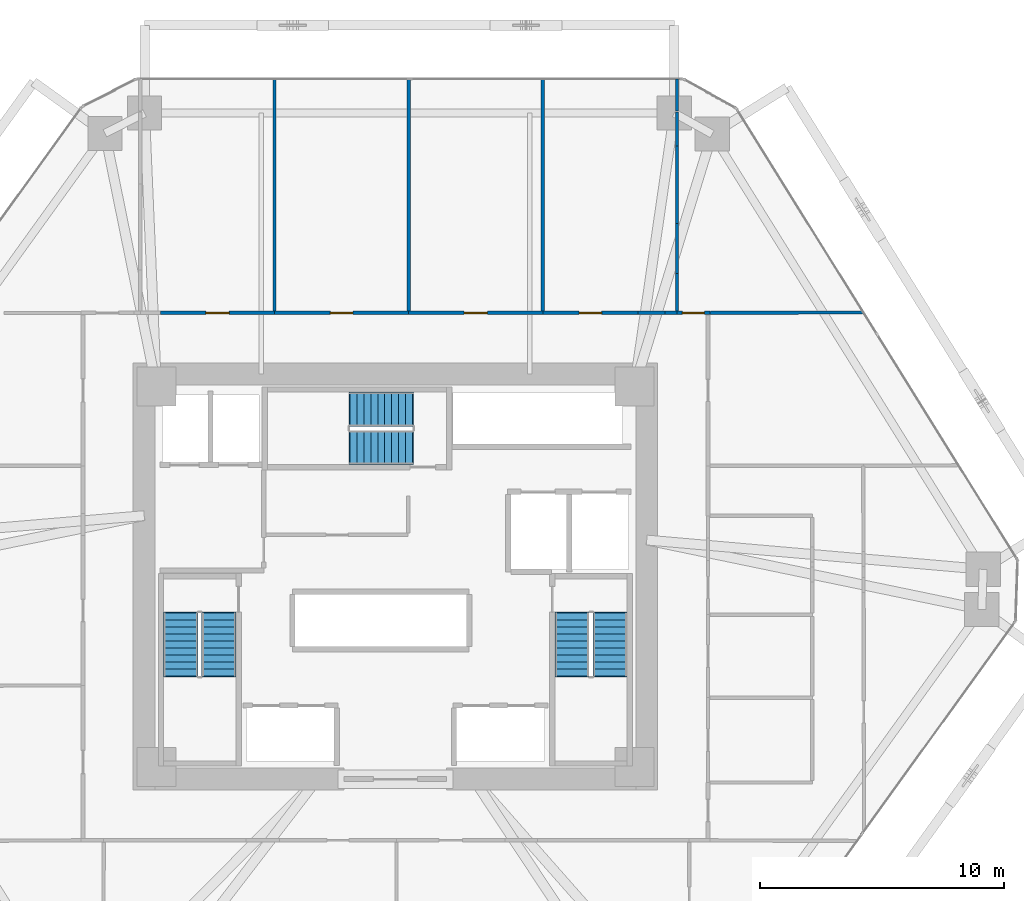
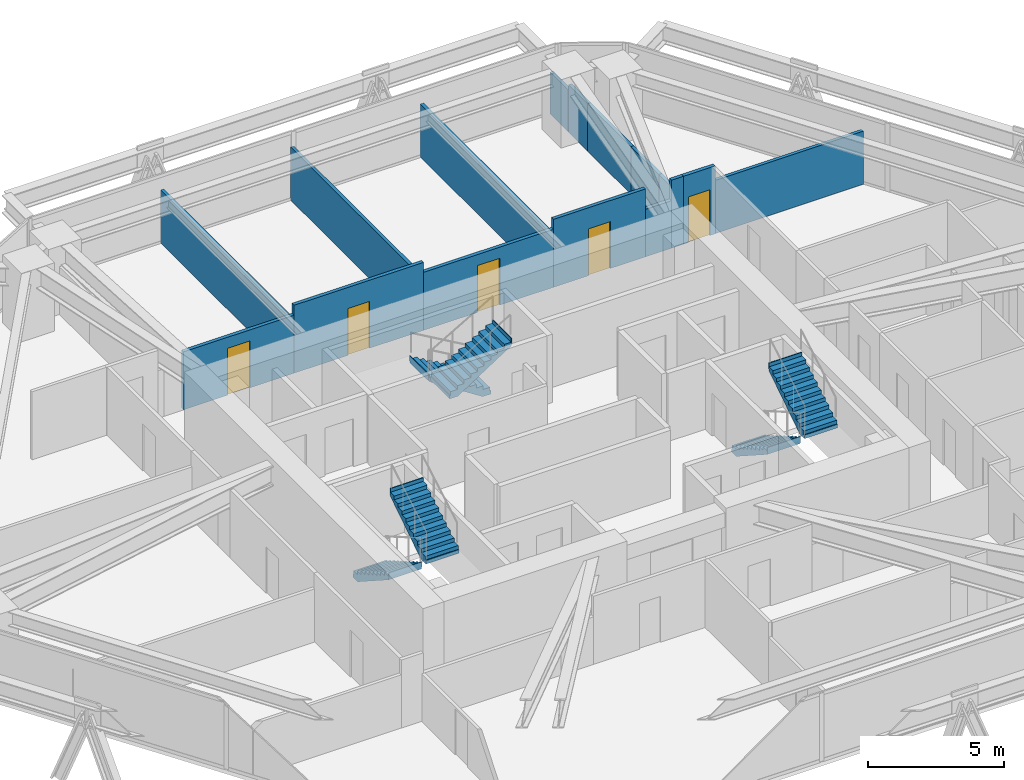
# One storey, part 16 of 17: 16 walls, 6 stair flights, 5 doors, 5 openings, 3 elements without a shape of their own.
"""IFC4 building model written with IfcOpenShell, lengths in metres."""

from ifc_helpers import new_model, si_unit, direction, frame, frame_2d, origin, place, context, subcontext, project, spatial, polyline, rectangle, outline, extrude, source, transform, mapped, material, layer, layer_set, type_object, type_shapes, element, fill, aggregate, save


model = new_model("IFC4")

# Units and contexts
model_context = context("Model", 3, precision=1e-05, world=origin(), true_north=direction((0.0, 1.0)))
body_context = subcontext(model_context, "Body", "Model", "MODEL_VIEW")
ifc_project = project(units=[si_unit("LENGTHUNIT", "METRE"), si_unit("AREAUNIT", "SQUARE_METRE"), si_unit("VOLUMEUNIT", "CUBIC_METRE"), si_unit("PLANEANGLEUNIT", "RADIAN"), si_unit("MASSUNIT", "GRAM", prefix="KILO")], contexts=[model_context])

# Site, building, storey
site_placement = place(None, origin())
site = spatial("IfcSite", under=ifc_project, at=site_placement, CompositionType="ELEMENT")
building_placement = place(site_placement, origin())
building = spatial("IfcBuilding", under=site, at=building_placement, Name="Durnholm Broadcast Tower", CompositionType="ELEMENT")
storey_placement = place(building_placement, frame((0.0, 0.0, 72.0)))
storey = spatial("IfcBuildingStorey", under=building, at=storey_placement, Name="L18", CompositionType="ELEMENT", Elevation=72.0)

# Walls
ifc_material_1 = material(Name="Gypsum Metal Stud Partition", Category="concrete")
ifc_layer_1 = layer(ifc_material_1, 0.135009765625)
ifc_layer_set_1 = layer_set([ifc_layer_1], Name="Gypsum Metal Stud Partition")
wall_type_1 = type_object("IfcWallType", Name="WALL-PART-135", PredefinedType="PARTITIONING", material=ifc_layer_set_1)
for number, where, z_axis, x_axis, name in (
    (1, (-4.9599609375, 20.39990234375, 0.0), (0.0, 0.0, 1.0), (0.0, -1.0, 0.0), "L18 room dividing partition 6.7"),
    (2, (0.5400390625, 20.39990234375, 0.0), (0.0, 0.0, 1.0), (0.0, -1.0, 0.0), "L18 room dividing partition 7.8"),
    (3, (6.0400390625, 20.39990234375, 0.0), (0.0, 0.0, 1.0), (0.0, -1.0, 0.0), "L18 room dividing partition 8.9"),
):
    element("IfcWall", number, at=place(storey_placement, frame(where, z_axis=z_axis, x_axis=x_axis)), inside=storey, type_object=wall_type_1, Name=name, PredefinedType="PARTITIONING", context=body_context, shape_type="SweptSolid", body=[
        extrude(rectangle(XDim=9.510986328125, YDim=0.135009765625, at=frame_2d((4.75537109375, 0.0))), origin(), (0.0, 0.0, 1.0), 2.3798828125),
    ])
wall_1_placement = place(storey_placement, frame((11.5400390625, 17.651611328125, 0.0), z_axis=(0.0, 0.0, 1.0), x_axis=(0.0, -1.0, 0.0)))
element("IfcWall", 4, at=wall_1_placement, inside=storey, type_object=wall_type_1, Name="L18 room dividing partition 9.10", PredefinedType="PARTITIONING", context=body_context, shape_type="SweptSolid", body=[
    extrude(rectangle(XDim=3.173095703125, YDim=0.135009765625, at=frame_2d((1.58642578125, 0.0))), origin(), (0.0, 0.0, 1.0), 2.130126953125),
])
wall_2_placement = place(storey_placement, frame((11.5400390625, 12.425537109375, 0.0), z_axis=(0.0, 0.0, 1.0), x_axis=(0.0, -1.0, 0.0)))
element("IfcWall", 5, at=wall_2_placement, inside=storey, type_object=wall_type_1, Name="L18 room dividing partition 9.10", PredefinedType="PARTITIONING", context=body_context, shape_type="SweptSolid", body=[
    extrude(rectangle(XDim=1.53662109375, YDim=0.135009765625, at=frame_2d((0.768310546875, 0.0))), origin(), (0.0, 0.0, 1.0), 2.130126953125),
])
wall_3_placement = place(storey_placement, frame((11.5400390625, 20.39990234375, 0.0), z_axis=(0.0, 0.0, 1.0), x_axis=(0.0, -1.0, 0.0)))
element("IfcWall", 6, at=wall_3_placement, inside=storey, type_object=wall_type_1, Name="L18 room dividing partition 9.10", PredefinedType="PARTITIONING", context=body_context, shape_type="SweptSolid", body=[
    extrude(rectangle(XDim=1.31591796875, YDim=0.135009765625, at=frame_2d((0.657958984375, 0.0))), origin(), (0.0, 0.0, 1.0), 1.877197265625),
])
wall_4_placement = place(storey_placement, frame((11.5400390625, 19.044921875, 0.0), z_axis=(0.0, 0.0, 1.0), x_axis=(0.0, -1.0, 0.0)))
element("IfcWall", 7, at=wall_4_placement, inside=storey, type_object=wall_type_1, Name="L18 room dividing partition 9.10", PredefinedType="PARTITIONING", context=body_context, shape_type="SweptSolid", body=[
    extrude(rectangle(XDim=1.393310546875, YDim=0.135009765625, at=frame_2d((0.69677734375, 0.0))), origin(), (0.0, 0.0, 1.0), 2.130126953125),
])
wall_5_placement = place(storey_placement, frame((11.5400390625, 14.478515625, 0.0), z_axis=(0.0, 0.0, 1.0), x_axis=(0.0, -1.0, 0.0)))
element("IfcWall", 8, at=wall_5_placement, inside=storey, type_object=wall_type_1, Name="L18 room dividing partition 9.10", PredefinedType="PARTITIONING", context=body_context, shape_type="SweptSolid", body=[
    extrude(rectangle(XDim=2.052978515625, YDim=0.135009765625, at=frame_2d((1.0263671875, 0.0))), origin(), (0.0, 0.0, 1.0), 2.130126953125),
])
wall_6_placement = place(storey_placement, frame((19.18212890625, 10.831298828125, 0.0), z_axis=(0.0, 0.0, 1.0), x_axis=(-0.999994432845, -0.003336806783, 0.0)))
element("IfcWall", 9, at=wall_6_placement, inside=storey, type_object=wall_type_1, Name="L18 room dividing partition 10.21", PredefinedType="PARTITIONING", context=body_context, shape_type="SweptSolid", body=[
    extrude(rectangle(XDim=6.292236328125, YDim=0.135009765625, at=frame_2d((3.14599609375, 0.0))), origin(), (0.0, 0.0, 1.0), 2.3798828125),
])

# Wall, opening, door
ifc_material_2 = material(Name="Acoustic Gypsum Stud Partition", Category="concrete")
ifc_layer_2 = layer(ifc_material_2, 0.14990234375)
ifc_layer_set_2 = layer_set([ifc_layer_2], Name="Acoustic Gypsum Stud Partition")
wall_type_2 = type_object("IfcWallType", Name="WALL-PART-150", PredefinedType="PARTITIONING", material=ifc_layer_set_2)
wall_7_placement = place(storey_placement, frame((-4.9599609375, 10.81005859375, 0.0), z_axis=(0.0, 0.0, 1.0), x_axis=(-1.0, 0.0, 0.0)))
wall_7 = element("IfcWall", 10, at=wall_7_placement, inside=storey, type_object=wall_type_2, Name="L18 Documentary Office 2 corridor partition", PredefinedType="PARTITIONING", context=body_context, shape_type="SweptSolid", body=[
    extrude(rectangle(XDim=4.66748046875, YDim=0.14990234375, at=frame_2d((2.333740234375, 0.0))), origin(), (0.0, 0.0, 1.0), 2.59765625),
])
opening_1_placement = place(wall_7_placement, frame((1.858642578125, 0.0, 0.0)))
opening_1 = element("IfcOpeningElement", 11, at=opening_1_placement, cuts=wall_7, Name="Opening DR-95L", PredefinedType="OPENING", context=body_context, shape_type="SweptSolid", body=[
    extrude(rectangle(XDim=0.949951171875, YDim=2.10009765625, at=frame_2d((0.47509765625, 1.050048828125))), frame((0.0, 0.0849609375, 0.0), z_axis=(0.0, -1.0, 0.0), x_axis=(1.0, 0.0, 0.0)), (0.0, 0.0, 1.0), 0.169921875),
])
ifc_material_3 = material(Name="Acoustic Oak Veneer Timber Door", Category="wood")
ifc_layer_3 = layer(ifc_material_3, 0.050048828125)
ifc_layer_set_3 = layer_set([ifc_layer_3], Name="Acoustic Oak Veneer Timber Door")
door_type_1 = type_object("IfcDoorType", Name="DOOR-RM-950L", OperationType="NOTDEFINED", PredefinedType="DOOR", material=ifc_layer_set_3)
shared_shape_1 = source(origin(), body_context, "Body", "SweptSolid", [
    extrude(rectangle(XDim=0.949951171875, YDim=2.10009765625, at=frame_2d((0.47509765625, 1.050048828125))), frame((0.0, 0.02490234375, 0.0), z_axis=(0.0, -1.0, 0.0), x_axis=(1.0, 0.0, 0.0)), (0.0, 0.0, 1.0), 0.050048828125),
])
type_shapes(door_type_1, [shared_shape_1])
door_1_placement = place(opening_1_placement, origin())
door_1 = element("IfcDoor", 12, at=door_1_placement, inside=storey, type_object=door_type_1, Name="L18 Documentary Office 2 entrance door", OperationType="SINGLE_SWING_LEFT", OverallHeight=2.10009765625, OverallWidth=0.949951171875, PredefinedType="DOOR", context=body_context, shape_type="MappedRepresentation", body=[
    mapped(shared_shape_1, transform((0.0, 0.0, 0.0), x_axis=(1.0, 0.0, 0.0), y_axis=(0.0, 1.0, 0.0), z_axis=(0.0, 0.0, 1.0), scale=1.0)),
])
fill(opening_1, door_1)

wall_8_placement = place(storey_placement, frame((0.5400390625, 10.81005859375, 0.0), z_axis=(0.0, 0.0, 1.0), x_axis=(-1.0, 0.0, 0.0)))
wall_8 = element("IfcWall", 13, at=wall_8_placement, inside=storey, type_object=wall_type_2, Name="L18 Post Edit Office 1 corridor partition", PredefinedType="PARTITIONING", context=body_context, shape_type="SweptSolid", body=[
    extrude(rectangle(XDim=5.5, YDim=0.14990234375, at=frame_2d((2.75, 0.0))), origin(), (0.0, 0.0, 1.0), 3.044921875),
])
opening_2_placement = place(wall_8_placement, frame((2.2900390625, 0.0, 0.0)))
opening_2 = element("IfcOpeningElement", 14, at=opening_2_placement, cuts=wall_8, Name="Opening DR-92R", PredefinedType="OPENING", context=body_context, shape_type="SweptSolid", body=[
    extrude(rectangle(XDim=0.919921875, YDim=2.10009765625, at=frame_2d((0.4599609375, 1.050048828125))), frame((0.0, 0.0849609375, 0.0), z_axis=(0.0, -1.0, 0.0), x_axis=(1.0, 0.0, 0.0)), (0.0, 0.0, 1.0), 0.169921875),
])
ifc_material_4 = material(Name="Oak Veneer Office Door", Category="wood")
ifc_layer_4 = layer(ifc_material_4, 0.050048828125)
ifc_layer_set_4 = layer_set([ifc_layer_4], Name="Oak Veneer Office Door")
door_type_2 = type_object("IfcDoorType", Name="DOOR-RM-920R", OperationType="NOTDEFINED", PredefinedType="DOOR", material=ifc_layer_set_4)
shared_shape_2 = source(origin(), body_context, "Body", "SweptSolid", [
    extrude(rectangle(XDim=0.919921875, YDim=2.10009765625, at=frame_2d((0.4599609375, 1.050048828125))), frame((0.0, 0.02490234375, 0.0), z_axis=(0.0, -1.0, 0.0), x_axis=(1.0, 0.0, 0.0)), (0.0, 0.0, 1.0), 0.050048828125),
])
type_shapes(door_type_2, [shared_shape_2])
door_2_placement = place(opening_2_placement, origin())
door_2 = element("IfcDoor", 15, at=door_2_placement, inside=storey, type_object=door_type_2, Name="L18 Post Edit Office 1 entrance door", OperationType="SINGLE_SWING_RIGHT", OverallHeight=2.10009765625, OverallWidth=0.919921875, PredefinedType="DOOR", context=body_context, shape_type="MappedRepresentation", body=[
    mapped(shared_shape_2, transform((0.0, 0.0, 0.0), x_axis=(1.0, 0.0, 0.0), y_axis=(0.0, 1.0, 0.0), z_axis=(0.0, 0.0, 1.0), scale=1.0)),
])
fill(opening_2, door_2)

wall_9_placement = place(storey_placement, frame((6.0400390625, 10.81005859375, 0.0), z_axis=(0.0, 0.0, 1.0), x_axis=(-1.0, 0.0, 0.0)))
wall_9 = element("IfcWall", 16, at=wall_9_placement, inside=storey, type_object=wall_type_2, Name="L18 Post Edit Office 2 corridor partition", PredefinedType="PARTITIONING", context=body_context, shape_type="SweptSolid", body=[
    extrude(rectangle(XDim=5.5, YDim=0.14990234375, at=frame_2d((2.75, 0.0))), origin(), (0.0, 0.0, 1.0), 2.59765625),
])
opening_3_placement = place(wall_9_placement, frame((2.27490234375, 0.0, 0.0)))
opening_3 = element("IfcOpeningElement", 17, at=opening_3_placement, cuts=wall_9, Name="Opening DR-95L", PredefinedType="OPENING", context=body_context, shape_type="SweptSolid", body=[
    extrude(rectangle(XDim=0.949951171875, YDim=2.10009765625, at=frame_2d((0.47509765625, 1.050048828125))), frame((0.0, 0.0849609375, 0.0), z_axis=(0.0, -1.0, 0.0), x_axis=(1.0, 0.0, 0.0)), (0.0, 0.0, 1.0), 0.169921875),
])
door_3_placement = place(opening_3_placement, origin())
door_3 = element("IfcDoor", 18, at=door_3_placement, inside=storey, type_object=door_type_1, Name="L18 Post Edit Office 2 entrance door", OperationType="SINGLE_SWING_LEFT", OverallHeight=2.10009765625, OverallWidth=0.949951171875, PredefinedType="DOOR", context=body_context, shape_type="MappedRepresentation", body=[
    mapped(shared_shape_1, transform((0.0, 0.0, 0.0), x_axis=(1.0, 0.0, 0.0), y_axis=(0.0, 1.0, 0.0), z_axis=(0.0, 0.0, 1.0), scale=1.0)),
])
fill(opening_3, door_3)

# Wall
wall_10_placement = place(storey_placement, frame((11.5400390625, 10.81005859375, 0.0), z_axis=(0.0, 0.0, 1.0), x_axis=(-1.0, 0.0, 0.0)))
element("IfcWall", 19, at=wall_10_placement, inside=storey, type_object=wall_type_2, Name="L18 Foley Office corridor partition", PredefinedType="PARTITIONING", context=body_context, shape_type="SweptSolid", body=[
    extrude(rectangle(XDim=0.49755859375, YDim=0.14990234375, at=frame_2d((0.248779296875, 0.0))), origin(), (0.0, 0.0, 1.0), 3.044921875),
])

# Wall, opening, door
wall_11_placement = place(storey_placement, frame((9.93310546875, 10.81005859375, 0.0), z_axis=(0.0, 0.0, 1.0), x_axis=(-1.0, 0.0, 0.0)))
wall_11 = element("IfcWall", 20, at=wall_11_placement, inside=storey, type_object=wall_type_2, Name="L18 Foley Office corridor partition", PredefinedType="PARTITIONING", context=body_context, shape_type="SweptSolid", body=[
    extrude(rectangle(XDim=3.89306640625, YDim=0.14990234375, at=frame_2d((1.946533203125, 0.0))), origin(), (0.0, 0.0, 1.0), 3.044921875),
])
opening_4_placement = place(wall_11_placement, frame((1.486572265625, 0.0, 0.0)))
opening_4 = element("IfcOpeningElement", 21, at=opening_4_placement, cuts=wall_11, Name="Opening DR-92R", PredefinedType="OPENING", context=body_context, shape_type="SweptSolid", body=[
    extrude(rectangle(XDim=0.919921875, YDim=2.10009765625, at=frame_2d((0.4599609375, 1.050048828125))), frame((0.0, 0.0849609375, 0.0), z_axis=(0.0, -1.0, 0.0), x_axis=(1.0, 0.0, 0.0)), (0.0, 0.0, 1.0), 0.169921875),
])
door_4_placement = place(opening_4_placement, origin())
door_4 = element("IfcDoor", 22, at=door_4_placement, inside=storey, type_object=door_type_2, Name="L18 Foley Office entrance door", OperationType="SINGLE_SWING_RIGHT", OverallHeight=2.10009765625, OverallWidth=0.919921875, PredefinedType="DOOR", context=body_context, shape_type="MappedRepresentation", body=[
    mapped(shared_shape_2, transform((0.0, 0.0, 0.0), x_axis=(1.0, 0.0, 0.0), y_axis=(0.0, 1.0, 0.0), z_axis=(0.0, 0.0, 1.0), scale=1.0)),
])
fill(opening_4, door_4)

# Wall
wall_12_placement = place(storey_placement, frame((11.04248046875, 10.81005859375, 0.0), z_axis=(0.0, 0.0, 1.0), x_axis=(-1.0, 0.0, 0.0)))
element("IfcWall", 23, at=wall_12_placement, inside=storey, type_object=wall_type_2, Name="L18 Foley Office corridor partition", PredefinedType="PARTITIONING", context=body_context, shape_type="SweptSolid", body=[
    extrude(rectangle(XDim=1.109375, YDim=0.14990234375, at=frame_2d((0.5546875, 0.0))), origin(), (0.0, 0.0, 1.0), 2.130126953125),
])

# Wall, opening, door
wall_13_placement = place(storey_placement, frame((12.889892578125, 10.81005859375, 0.0), z_axis=(0.0, 0.0, 1.0), x_axis=(-1.0, 0.0, 0.0)))
wall_13 = element("IfcWall", 24, at=wall_13_placement, inside=storey, type_object=wall_type_2, Name="L18 Media Review Meeting Room corridor partition", PredefinedType="PARTITIONING", context=body_context, shape_type="SweptSolid", body=[
    extrude(rectangle(XDim=1.349853515625, YDim=0.14990234375, at=frame_2d((0.6748046875, 0.0))), origin(), (0.0, 0.0, 1.0), 3.044921875),
])
opening_5_placement = place(wall_13_placement, frame((0.22509765625, 0.0, 0.0)))
opening_5 = element("IfcOpeningElement", 25, at=opening_5_placement, cuts=wall_13, Name="Opening DW-90L", PredefinedType="OPENING", context=body_context, shape_type="SweptSolid", body=[
    extrude(rectangle(XDim=0.89990234375, YDim=2.050048828125, at=frame_2d((0.449951171875, 1.02490234375))), frame((0.0, 0.0849609375, 0.0), z_axis=(0.0, -1.0, 0.0), x_axis=(1.0, 0.0, 0.0)), (0.0, 0.0, 1.0), 0.169921875),
])
ifc_material_5 = material(Name="Laminate Restroom Door", Category="steel")
ifc_layer_5 = layer(ifc_material_5, 0.050048828125)
ifc_layer_set_5 = layer_set([ifc_layer_5], Name="Laminate Restroom Door")
door_type_3 = type_object("IfcDoorType", Name="DOOR-WC-900L", OperationType="NOTDEFINED", PredefinedType="DOOR", material=ifc_layer_set_5)
shared_shape_3 = source(origin(), body_context, "Body", "SweptSolid", [
    extrude(rectangle(XDim=0.89990234375, YDim=2.050048828125, at=frame_2d((0.449951171875, 1.02490234375))), frame((0.0, 0.02490234375, 0.0), z_axis=(0.0, -1.0, 0.0), x_axis=(1.0, 0.0, 0.0)), (0.0, 0.0, 1.0), 0.050048828125),
])
type_shapes(door_type_3, [shared_shape_3])
door_5_placement = place(opening_5_placement, origin())
door_5 = element("IfcDoor", 26, at=door_5_placement, inside=storey, type_object=door_type_3, Name="L18 Media Review Meeting Room entrance door", OperationType="SINGLE_SWING_LEFT", OverallHeight=2.050048828125, OverallWidth=0.89990234375, PredefinedType="DOOR", context=body_context, shape_type="MappedRepresentation", body=[
    mapped(shared_shape_3, transform((0.0, 0.0, 0.0), x_axis=(1.0, 0.0, 0.0), y_axis=(0.0, 1.0, 0.0), z_axis=(0.0, 0.0, 1.0), scale=1.0)),
])
fill(opening_5, door_5)

# Stair, stair flights
ifc_material_6 = material(Name="Concrete C50/60", Category="concrete")
stair_type = type_object("IfcStairType", Name="STAIR-DL-20R1650", PredefinedType="HALF_TURN_STAIR", material=ifc_material_6)
stair_1_placement = place(storey_placement, origin())
stair_1 = element("IfcStair", 27, at=stair_1_placement, inside=storey, type_object=stair_type, Name="L18 ST-1", PredefinedType="HALF_TURN_STAIR")
stair_flight_type = type_object("IfcStairFlightType", Name="FLIGHT-DL-20R1650", PredefinedType="STRAIGHT", material=ifc_material_6)
stair_flight_1_placement = place(storey_placement, frame((-8.800048828125, -1.5, 0.0), z_axis=(0.0, 0.0, 1.0), x_axis=(0.0, -1.0, 0.0)))
stair_flight_1 = element("IfcStairFlight", 28, at=stair_flight_1_placement, type_object=stair_flight_type, Name="ST-1 flight 1", NumberOfRisers=10, NumberOfTreads=9, PredefinedType="STRAIGHT", RiserHeight=0.165, TreadLength=0.285, context=body_context, shape_type="SweptSolid", body=[
    extrude(outline(polyline([(-0.0400390625, -0.14990234375), (-0.0400390625, 0.0), (0.0, 0.0), (0.0, 0.1650390625), (0.284912109375, 0.1650390625), (0.284912109375, 0.330078125), (0.570068359375, 0.330078125), (0.570068359375, 0.4951171875), (0.85498046875, 0.4951171875), (0.85498046875, 0.659912109375), (1.139892578125, 0.659912109375), (1.139892578125, 0.824951171875), (1.425048828125, 0.824951171875), (1.425048828125, 0.989990234375), (1.7099609375, 0.989990234375), (1.7099609375, 1.155029296875), (1.9951171875, 1.155029296875), (1.9951171875, 1.320068359375), (2.280029296875, 1.320068359375), (2.280029296875, 1.485107421875), (2.56494140625, 1.485107421875), (2.56494140625, 1.64990234375), (2.60498046875, 1.64990234375), (2.60498046875, 1.5), (2.56494140625, 1.311767578125), (0.299072265625, -0.14990234375), (-0.0400390625, -0.14990234375)])), frame((0.0, 0.699951171875, 0.0), z_axis=(0.0, -1.0, 0.0), x_axis=(1.0, 0.0, 0.0)), (0.0, 0.0, 1.0), 1.39990234375),
])
stair_flight_2_placement = place(storey_placement, frame((-7.239990234375, -4.06494140625, 1.64990234375), z_axis=(0.0, 0.0, 1.0), x_axis=(0.0, 1.0, 0.0)))
stair_flight_2 = element("IfcStairFlight", 29, at=stair_flight_2_placement, type_object=stair_flight_type, Name="ST-1 flight 2", NumberOfRisers=10, NumberOfTreads=9, PredefinedType="STRAIGHT", RiserHeight=0.165, TreadLength=0.285, context=body_context, shape_type="SweptSolid", body=[
    extrude(outline(polyline([(-0.0400390625, -0.14990234375), (-0.0400390625, 0.0), (0.0, 0.0), (0.0, 0.1650390625), (0.284912109375, 0.1650390625), (0.284912109375, 0.330078125), (0.570068359375, 0.330078125), (0.570068359375, 0.4951171875), (0.85498046875, 0.4951171875), (0.85498046875, 0.659912109375), (1.139892578125, 0.659912109375), (1.139892578125, 0.824951171875), (1.425048828125, 0.824951171875), (1.425048828125, 0.989990234375), (1.7099609375, 0.989990234375), (1.7099609375, 1.155029296875), (1.9951171875, 1.155029296875), (1.9951171875, 1.320068359375), (2.280029296875, 1.320068359375), (2.280029296875, 1.485107421875), (2.56494140625, 1.485107421875), (2.56494140625, 1.64990234375), (2.60498046875, 1.64990234375), (2.60498046875, 1.5), (2.56494140625, 1.311767578125), (0.299072265625, -0.14990234375), (-0.0400390625, -0.14990234375)])), frame((0.0, 0.699951171875, 0.0), z_axis=(0.0, -1.0, 0.0), x_axis=(1.0, 0.0, 0.0)), (0.0, 0.0, 1.0), 1.39990234375),
])
aggregate(stair_1, [stair_flight_1, stair_flight_2])

stair_2_placement = place(storey_placement, origin())
stair_2 = element("IfcStair", 30, at=stair_2_placement, inside=storey, type_object=stair_type, Name="L18 ST-2", PredefinedType="HALF_TURN_STAIR")
stair_flight_3_placement = place(storey_placement, frame((7.239990234375, -1.5, 0.0), z_axis=(0.0, 0.0, 1.0), x_axis=(0.0, -1.0, 0.0)))
stair_flight_3 = element("IfcStairFlight", 31, at=stair_flight_3_placement, type_object=stair_flight_type, Name="ST-2 flight 1", NumberOfRisers=10, NumberOfTreads=9, PredefinedType="STRAIGHT", RiserHeight=0.165, TreadLength=0.285, context=body_context, shape_type="SweptSolid", body=[
    extrude(outline(polyline([(-0.0400390625, -0.14990234375), (-0.0400390625, 0.0), (0.0, 0.0), (0.0, 0.1650390625), (0.284912109375, 0.1650390625), (0.284912109375, 0.330078125), (0.570068359375, 0.330078125), (0.570068359375, 0.4951171875), (0.85498046875, 0.4951171875), (0.85498046875, 0.659912109375), (1.139892578125, 0.659912109375), (1.139892578125, 0.824951171875), (1.425048828125, 0.824951171875), (1.425048828125, 0.989990234375), (1.7099609375, 0.989990234375), (1.7099609375, 1.155029296875), (1.9951171875, 1.155029296875), (1.9951171875, 1.320068359375), (2.280029296875, 1.320068359375), (2.280029296875, 1.485107421875), (2.56494140625, 1.485107421875), (2.56494140625, 1.64990234375), (2.60498046875, 1.64990234375), (2.60498046875, 1.5), (2.56494140625, 1.311767578125), (0.299072265625, -0.14990234375), (-0.0400390625, -0.14990234375)])), frame((0.0, 0.699951171875, 0.0), z_axis=(0.0, -1.0, 0.0), x_axis=(1.0, 0.0, 0.0)), (0.0, 0.0, 1.0), 1.39990234375),
])
stair_flight_4_placement = place(storey_placement, frame((8.800048828125, -4.06494140625, 1.64990234375), z_axis=(0.0, 0.0, 1.0), x_axis=(0.0, 1.0, 0.0)))
stair_flight_4 = element("IfcStairFlight", 32, at=stair_flight_4_placement, type_object=stair_flight_type, Name="ST-2 flight 2", NumberOfRisers=10, NumberOfTreads=9, PredefinedType="STRAIGHT", RiserHeight=0.165, TreadLength=0.285, context=body_context, shape_type="SweptSolid", body=[
    extrude(outline(polyline([(-0.0400390625, -0.14990234375), (-0.0400390625, 0.0), (0.0, 0.0), (0.0, 0.1650390625), (0.284912109375, 0.1650390625), (0.284912109375, 0.330078125), (0.570068359375, 0.330078125), (0.570068359375, 0.4951171875), (0.85498046875, 0.4951171875), (0.85498046875, 0.659912109375), (1.139892578125, 0.659912109375), (1.139892578125, 0.824951171875), (1.425048828125, 0.824951171875), (1.425048828125, 0.989990234375), (1.7099609375, 0.989990234375), (1.7099609375, 1.155029296875), (1.9951171875, 1.155029296875), (1.9951171875, 1.320068359375), (2.280029296875, 1.320068359375), (2.280029296875, 1.485107421875), (2.56494140625, 1.485107421875), (2.56494140625, 1.64990234375), (2.60498046875, 1.64990234375), (2.60498046875, 1.5), (2.56494140625, 1.311767578125), (0.299072265625, -0.14990234375), (-0.0400390625, -0.14990234375)])), frame((0.0, 0.699951171875, 0.0), z_axis=(0.0, -1.0, 0.0), x_axis=(1.0, 0.0, 0.0)), (0.0, 0.0, 1.0), 1.39990234375),
])
aggregate(stair_2, [stair_flight_3, stair_flight_4])

stair_3_placement = place(storey_placement, origin())
stair_3 = element("IfcStair", 33, at=stair_3_placement, inside=storey, type_object=stair_type, Name="L18 ST-3", PredefinedType="HALF_TURN_STAIR")
stair_flight_5_placement = place(storey_placement, frame((0.699951171875, 6.860107421875, 0.0), z_axis=(0.0, 0.0, 1.0), x_axis=(-1.0, 0.0, 0.0)))
stair_flight_5 = element("IfcStairFlight", 34, at=stair_flight_5_placement, type_object=stair_flight_type, Name="ST-3 flight 1", NumberOfRisers=10, NumberOfTreads=9, PredefinedType="STRAIGHT", RiserHeight=0.165, TreadLength=0.285, context=body_context, shape_type="SweptSolid", body=[
    extrude(outline(polyline([(-0.0400390625, -0.14990234375), (-0.0400390625, 0.0), (0.0, 0.0), (0.0, 0.1650390625), (0.284912109375, 0.1650390625), (0.284912109375, 0.330078125), (0.570068359375, 0.330078125), (0.570068359375, 0.4951171875), (0.85498046875, 0.4951171875), (0.85498046875, 0.659912109375), (1.139892578125, 0.659912109375), (1.139892578125, 0.824951171875), (1.425048828125, 0.824951171875), (1.425048828125, 0.989990234375), (1.7099609375, 0.989990234375), (1.7099609375, 1.155029296875), (1.9951171875, 1.155029296875), (1.9951171875, 1.320068359375), (2.280029296875, 1.320068359375), (2.280029296875, 1.485107421875), (2.56494140625, 1.485107421875), (2.56494140625, 1.64990234375), (2.60498046875, 1.64990234375), (2.60498046875, 1.5), (2.56494140625, 1.311767578125), (0.299072265625, -0.14990234375), (-0.0400390625, -0.14990234375)])), frame((0.0, 0.699951171875, 0.0), z_axis=(0.0, -1.0, 0.0), x_axis=(1.0, 0.0, 0.0)), (0.0, 0.0, 1.0), 1.39990234375),
])
stair_flight_6_placement = place(storey_placement, frame((-1.864990234375, 5.300048828125, 1.64990234375), z_axis=(0.0, 0.0, 1.0), x_axis=(1.0, 0.0, 0.0)))
stair_flight_6 = element("IfcStairFlight", 35, at=stair_flight_6_placement, type_object=stair_flight_type, Name="ST-3 flight 2", NumberOfRisers=10, NumberOfTreads=9, PredefinedType="STRAIGHT", RiserHeight=0.165, TreadLength=0.285, context=body_context, shape_type="SweptSolid", body=[
    extrude(outline(polyline([(-0.0400390625, -0.14990234375), (-0.0400390625, 0.0), (0.0, 0.0), (0.0, 0.1650390625), (0.284912109375, 0.1650390625), (0.284912109375, 0.330078125), (0.570068359375, 0.330078125), (0.570068359375, 0.4951171875), (0.85498046875, 0.4951171875), (0.85498046875, 0.659912109375), (1.139892578125, 0.659912109375), (1.139892578125, 0.824951171875), (1.425048828125, 0.824951171875), (1.425048828125, 0.989990234375), (1.7099609375, 0.989990234375), (1.7099609375, 1.155029296875), (1.9951171875, 1.155029296875), (1.9951171875, 1.320068359375), (2.280029296875, 1.320068359375), (2.280029296875, 1.485107421875), (2.56494140625, 1.485107421875), (2.56494140625, 1.64990234375), (2.60498046875, 1.64990234375), (2.60498046875, 1.5), (2.56494140625, 1.311767578125), (0.299072265625, -0.14990234375), (-0.0400390625, -0.14990234375)])), frame((0.0, 0.699951171875, 0.0), z_axis=(0.0, -1.0, 0.0), x_axis=(1.0, 0.0, 0.0)), (0.0, 0.0, 1.0), 1.39990234375),
])
aggregate(stair_3, [stair_flight_5, stair_flight_6])

save(model, "model.ifc")
